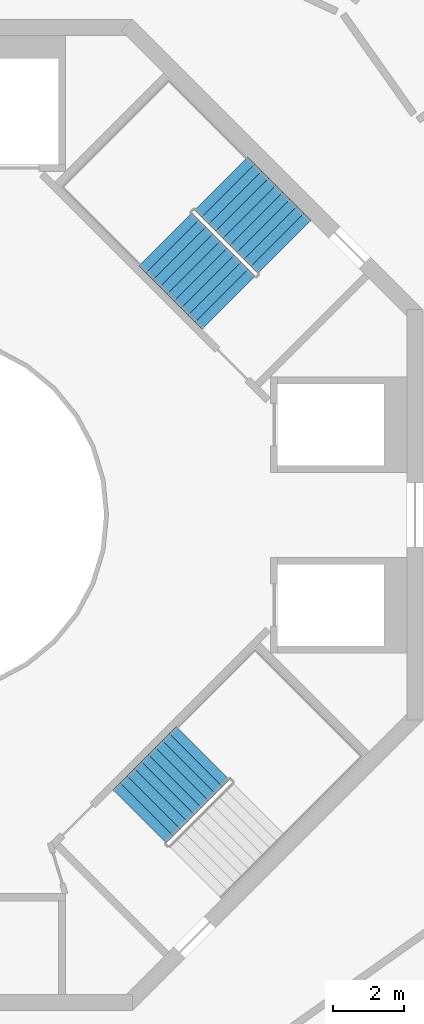
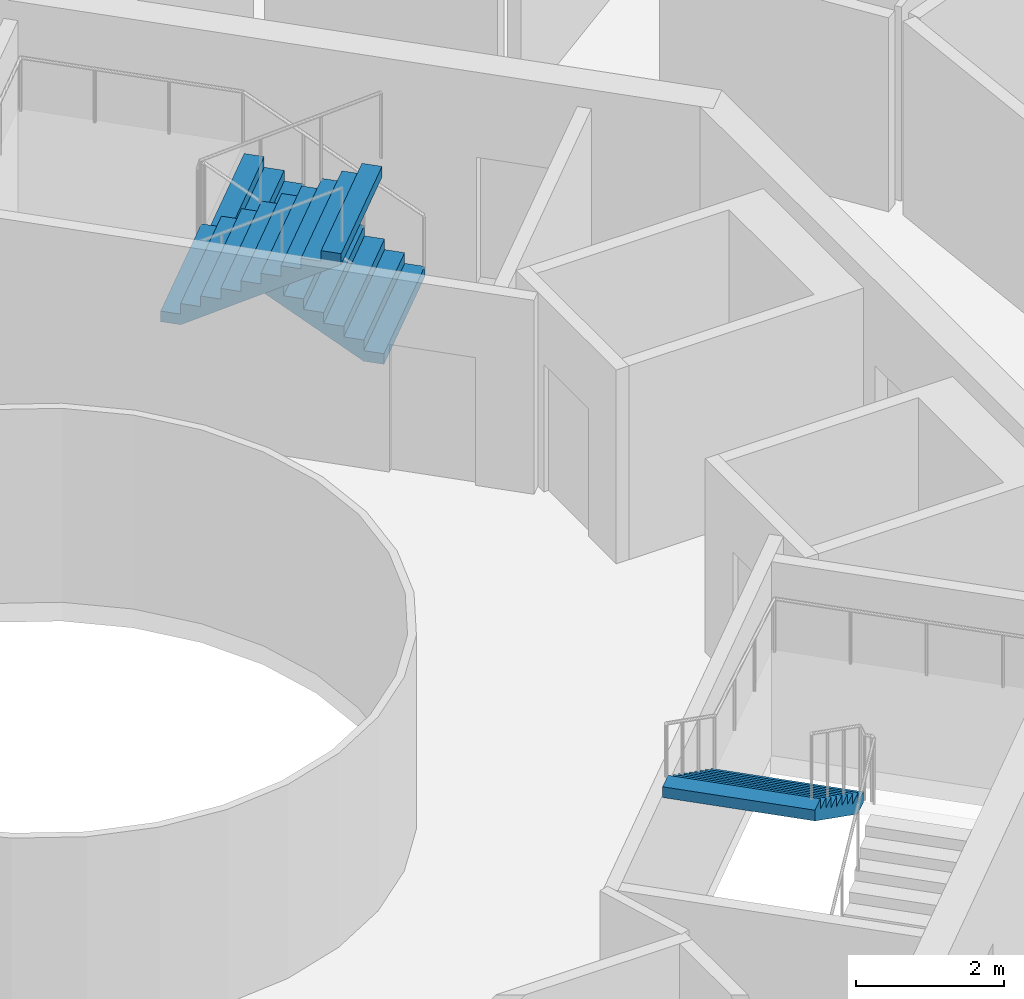
# One storey, part 24 of 25: 3 stair flights, 2 elements without a shape of their own.
"""IFC4 building model written with IfcOpenShell, lengths in metres."""

from ifc_helpers import new_model, si_unit, direction, frame, origin, place, context, subcontext, project, spatial, triangles, material, type_object, element, aggregate, save


model = new_model("IFC4")

# Units and contexts
model_context = context("Model", 3, precision=1e-05, world=origin(), true_north=direction((0.0, 1.0)))
body_context = subcontext(model_context, "Body", "Model", "MODEL_VIEW")
ifc_project = project(units=[si_unit("LENGTHUNIT", "METRE"), si_unit("AREAUNIT", "SQUARE_METRE"), si_unit("VOLUMEUNIT", "CUBIC_METRE"), si_unit("PLANEANGLEUNIT", "RADIAN"), si_unit("MASSUNIT", "GRAM", prefix="KILO")], contexts=[model_context])

# Site, building, storey
site_placement = place(None, origin())
site = spatial("IfcSite", under=ifc_project, at=site_placement, CompositionType="ELEMENT")
building_placement = place(site_placement, origin())
building = spatial("IfcBuilding", under=site, at=building_placement, Name="Verdalira Terraces Hotel", CompositionType="ELEMENT")
storey_placement = place(building_placement, frame((0.0, 0.0, 299.5)))
storey = spatial("IfcBuildingStorey", under=building, at=storey_placement, Name="L74", CompositionType="ELEMENT", Elevation=299.5)

# Stair, stair flights
ifc_material_1 = material(Name="Concrete C40", Category="concrete")
stair_type = type_object("IfcStairType", Name="Core stair 20 risers 2125 mm wide", PredefinedType="HALF_TURN_STAIR", material=ifc_material_1)
stair_1_placement = place(storey_placement, origin())
stair_1 = element("IfcStair", 1, at=stair_1_placement, inside=storey, type_object=stair_type, Name="L74 Exit stair ST1", PredefinedType="HALF_TURN_STAIR")
ifc_material_2 = material(Name="Concrete C40", Category="concrete")
stair_flight_type = type_object("IfcStairFlightType", Name="Core stair flight 20 risers 2125 mm wide", PredefinedType="STRAIGHT", material=ifc_material_2)
stair_flight_1_placement = place(storey_placement, frame((10.085205, 7.574951, 0.0), z_axis=(0.0, 0.0, 1.0), x_axis=(-0.707106781, 0.707106781, 0.0)))
stair_flight_1 = element("IfcStairFlight", 2, at=stair_flight_1_placement, type_object=stair_flight_type, Name="ST1 flight 1", NumberOfRisers=10, NumberOfTreads=9, PredefinedType="STRAIGHT", RiserHeight=0.175, TreadLength=0.28, context=body_context, shape_type="Tessellation", body=[
    triangles([(0.0, 1.0625, 0.0), (0.282715, 1.0625, 0.0), (2.52002, 1.0625, 1.398193), (0.0, -1.0625, 0.0), (0.282715, -1.0625, 0.0), (2.52002, -1.0625, 1.398193), (2.52002, 1.0625, 1.574951), (2.23999, 1.0625, 1.574951), (2.52002, -1.0625, 1.574951), (2.23999, -1.0625, 1.574951), (2.23999, 1.0625, 1.399902), (2.23999, -1.0625, 1.399902), (1.959961, 1.0625, 1.399902), (1.959961, -1.0625, 1.399902), (1.959961, 1.0625, 1.225098), (1.959961, -1.0625, 1.225098), (1.679932, 1.0625, 1.225098), (1.679932, 1.0625, 1.050049), (1.679932, -1.0625, 1.225098), (1.679932, -1.0625, 1.050049), (1.399902, 1.0625, 1.050049), (1.399902, 1.0625, 0.875), (1.399902, -1.0625, 1.050049), (1.399902, -1.0625, 0.875), (1.120117, 1.0625, 0.875), (1.120117, 1.0625, 0.699951), (1.120117, -1.0625, 0.875), (1.120117, -1.0625, 0.699951), (0.840088, 1.0625, 0.699951), (0.840088, 1.0625, 0.524902), (0.840088, -1.0625, 0.699951), (0.840088, -1.0625, 0.524902), (0.560059, 1.0625, 0.524902), (0.560059, 1.0625, 0.350098), (0.560059, -1.0625, 0.524902), (0.560059, -1.0625, 0.350098), (0.280029, 1.0625, 0.350098), (0.280029, 1.0625, 0.175049), (0.280029, -1.0625, 0.350098), (0.280029, -1.0625, 0.175049), (0.0, 1.0625, 0.175049), (0.0, -1.0625, 0.175049), (0.0, -0.996094, 0.0), (0.0, -0.996094, 0.175049), (0.0, -0.929688, 0.0), (0.0, -0.929688, 0.175049), (0.0, -0.863281, 0.0), (0.0, -0.863281, 0.175049), (0.0, -0.796875, 0.0), (0.0, -0.796875, 0.175049), (0.0, -0.730469, 0.0), (0.0, -0.730469, 0.175049), (0.0, -0.664062, 0.0), (0.0, -0.664062, 0.175049), (0.0, -0.597656, 0.0), (0.0, -0.597656, 0.175049), (0.0, -0.53125, 0.0), (0.0, -0.53125, 0.175049), (0.0, -0.464844, 0.0), (0.0, -0.464844, 0.175049), (0.0, -0.398438, 0.0), (0.0, -0.398438, 0.175049), (0.0, -0.332031, 0.0), (0.0, -0.332031, 0.175049), (0.0, -0.265625, 0.0), (0.0, -0.265625, 0.175049), (0.0, -0.199219, 0.0), (0.0, -0.199219, 0.175049), (0.0, -0.132812, 0.0), (0.0, -0.132812, 0.175049), (0.0, -0.066406, 0.0), (0.0, -0.066406, 0.175049), (0.0, 0.0, 0.0), (0.0, 0.0, 0.175049), (0.0, 0.066406, 0.0), (0.0, 0.066406, 0.175049), (0.0, 0.132812, 0.0), (0.0, 0.132812, 0.175049), (0.0, 0.199219, 0.0), (0.0, 0.199219, 0.175049), (0.0, 0.265625, 0.0), (0.0, 0.265625, 0.175049), (0.0, 0.332031, 0.0), (0.0, 0.332031, 0.175049), (0.0, 0.398438, 0.0), (0.0, 0.398438, 0.175049), (0.0, 0.464844, 0.0), (0.0, 0.464844, 0.175049), (0.0, 0.53125, 0.0), (0.0, 0.53125, 0.175049), (0.0, 0.597656, 0.0), (0.0, 0.597656, 0.175049), (0.0, 0.664062, 0.0), (0.0, 0.664062, 0.175049), (0.0, 0.730469, 0.0), (0.0, 0.730469, 0.175049), (0.0, 0.796875, 0.0), (0.0, 0.796875, 0.175049), (0.0, 0.863281, 0.0), (0.0, 0.863281, 0.175049), (0.0, 0.929688, 0.0), (0.0, 0.929688, 0.175049), (0.0, 0.996094, 0.0), (0.0, 0.996094, 0.175049), (2.52002, -0.996094, 1.574951), (2.52002, -0.929688, 1.574951), (2.52002, -0.863281, 1.574951), (2.52002, -0.796875, 1.574951), (2.52002, -0.730469, 1.574951), (2.52002, -0.664062, 1.574951), (2.52002, -0.597656, 1.574951), (2.52002, -0.53125, 1.574951), (2.52002, -0.464844, 1.574951), (2.52002, -0.398438, 1.574951), (2.52002, -0.332031, 1.574951), (2.52002, -0.265625, 1.574951), (2.52002, -0.199219, 1.574951), (2.52002, -0.132812, 1.574951), (2.52002, -0.066406, 1.574951), (2.52002, 0.0, 1.574951), (2.52002, 0.066406, 1.574951), (2.52002, 0.132812, 1.574951), (2.52002, 0.199219, 1.574951), (2.52002, 0.265625, 1.574951), (2.52002, 0.332031, 1.574951), (2.52002, 0.398438, 1.574951), (2.52002, 0.464844, 1.574951), (2.52002, 0.53125, 1.574951), (2.52002, 0.597656, 1.574951), (2.52002, 0.664062, 1.574951), (2.52002, 0.730469, 1.574951), (2.52002, 0.796875, 1.574951), (2.52002, 0.863281, 1.574951), (2.52002, 0.929688, 1.574951), (2.52002, 0.996094, 1.574951), (2.52002, -0.996094, 1.398193), (2.52002, -0.929688, 1.398193), (2.52002, -0.863281, 1.398193), (2.52002, -0.796875, 1.398193), (2.52002, -0.730469, 1.398193), (2.52002, -0.664062, 1.398193), (2.52002, -0.597656, 1.398193), (2.52002, -0.53125, 1.398193), (2.52002, -0.464844, 1.398193), (2.52002, -0.398438, 1.398193), (2.52002, -0.332031, 1.398193), (2.52002, -0.265625, 1.398193), (2.52002, -0.199219, 1.398193), (2.52002, -0.132812, 1.398193), (2.52002, -0.066406, 1.398193), (2.52002, 0.0, 1.398193), (2.52002, 0.066406, 1.398193), (2.52002, 0.132812, 1.398193), (2.52002, 0.199219, 1.398193), (2.52002, 0.265625, 1.398193), (2.52002, 0.332031, 1.398193), (2.52002, 0.398438, 1.398193), (2.52002, 0.464844, 1.398193), (2.52002, 0.53125, 1.398193), (2.52002, 0.597656, 1.398193), (2.52002, 0.664062, 1.398193), (2.52002, 0.730469, 1.398193), (2.52002, 0.796875, 1.398193), (2.52002, 0.863281, 1.398193), (2.52002, 0.929688, 1.398193), (2.52002, 0.996094, 1.398193)], [[1, 3, 2], [4, 5, 6], [3, 8, 7], [6, 9, 10], [3, 11, 8], [6, 10, 12], [3, 13, 11], [6, 12, 14], [3, 15, 13], [6, 14, 16], [15, 18, 17], [16, 19, 20], [3, 18, 15], [6, 16, 20], [18, 22, 21], [20, 23, 24], [3, 22, 18], [6, 20, 24], [22, 26, 25], [24, 27, 28], [3, 26, 22], [6, 24, 28], [26, 30, 29], [28, 31, 32], [3, 30, 26], [6, 28, 32], [1, 30, 3], [4, 6, 32], [30, 34, 33], [32, 35, 36], [34, 38, 37], [36, 39, 40], [30, 38, 34], [32, 36, 40], [1, 38, 30], [4, 32, 40], [38, 1, 41], [40, 42, 4], [4, 44, 43], [4, 42, 44], [43, 46, 45], [43, 44, 46], [45, 48, 47], [45, 46, 48], [47, 50, 49], [47, 48, 50], [49, 52, 51], [49, 50, 52], [51, 54, 53], [51, 52, 54], [53, 56, 55], [53, 54, 56], [55, 58, 57], [55, 56, 58], [57, 60, 59], [57, 58, 60], [59, 62, 61], [59, 60, 62], [61, 64, 63], [61, 62, 64], [63, 66, 65], [63, 64, 66], [65, 68, 67], [65, 66, 68], [67, 70, 69], [67, 68, 70], [69, 72, 71], [69, 70, 72], [71, 74, 73], [71, 72, 74], [73, 76, 75], [73, 74, 76], [75, 78, 77], [75, 76, 78], [77, 80, 79], [77, 78, 80], [79, 82, 81], [79, 80, 82], [81, 84, 83], [81, 82, 84], [83, 86, 85], [83, 84, 86], [85, 88, 87], [85, 86, 88], [87, 90, 89], [87, 88, 90], [89, 92, 91], [89, 90, 92], [91, 94, 93], [91, 92, 94], [93, 96, 95], [93, 94, 96], [95, 98, 97], [95, 96, 98], [97, 100, 99], [97, 98, 100], [99, 102, 101], [99, 100, 102], [101, 104, 103], [101, 102, 104], [103, 41, 1], [103, 104, 41], [42, 40, 44], [44, 40, 46], [46, 40, 48], [48, 40, 50], [50, 40, 52], [52, 40, 54], [54, 40, 56], [56, 40, 58], [58, 40, 60], [60, 40, 62], [62, 40, 64], [64, 40, 66], [66, 40, 68], [68, 40, 70], [70, 40, 72], [72, 40, 74], [74, 40, 76], [76, 40, 78], [78, 40, 80], [80, 40, 82], [82, 40, 84], [84, 40, 86], [86, 40, 88], [88, 40, 90], [90, 40, 92], [92, 40, 94], [94, 40, 96], [96, 40, 98], [98, 40, 100], [100, 40, 102], [102, 40, 104], [104, 40, 41], [41, 40, 38], [40, 37, 38], [40, 39, 37], [39, 34, 37], [39, 36, 34], [36, 33, 34], [36, 35, 33], [35, 30, 33], [35, 32, 30], [32, 29, 30], [32, 31, 29], [31, 26, 29], [31, 28, 26], [28, 25, 26], [28, 27, 25], [27, 22, 25], [27, 24, 22], [24, 21, 22], [24, 23, 21], [23, 18, 21], [23, 20, 18], [20, 17, 18], [20, 19, 17], [19, 15, 17], [19, 16, 15], [16, 13, 15], [16, 14, 13], [14, 11, 13], [14, 12, 11], [12, 8, 11], [12, 10, 8], [9, 105, 10], [105, 106, 10], [106, 107, 10], [107, 108, 10], [108, 109, 10], [109, 110, 10], [110, 111, 10], [111, 112, 10], [112, 113, 10], [113, 114, 10], [114, 115, 10], [115, 116, 10], [116, 117, 10], [117, 118, 10], [118, 119, 10], [119, 120, 10], [120, 121, 10], [121, 122, 10], [122, 123, 10], [123, 124, 10], [124, 125, 10], [125, 126, 10], [126, 127, 10], [127, 128, 10], [128, 129, 10], [129, 130, 10], [130, 131, 10], [131, 132, 10], [132, 133, 10], [133, 134, 10], [134, 135, 10], [135, 7, 10], [7, 8, 10], [9, 136, 105], [9, 6, 136], [105, 137, 106], [105, 136, 137], [106, 138, 107], [106, 137, 138], [107, 139, 108], [107, 138, 139], [108, 140, 109], [108, 139, 140], [109, 141, 110], [109, 140, 141], [110, 142, 111], [110, 141, 142], [111, 143, 112], [111, 142, 143], [112, 144, 113], [112, 143, 144], [113, 145, 114], [113, 144, 145], [114, 146, 115], [114, 145, 146], [115, 147, 116], [115, 146, 147], [116, 148, 117], [116, 147, 148], [117, 149, 118], [117, 148, 149], [118, 150, 119], [118, 149, 150], [119, 151, 120], [119, 150, 151], [120, 152, 121], [120, 151, 152], [121, 153, 122], [121, 152, 153], [122, 154, 123], [122, 153, 154], [123, 155, 124], [123, 154, 155], [124, 156, 125], [124, 155, 156], [125, 157, 126], [125, 156, 157], [126, 158, 127], [126, 157, 158], [127, 159, 128], [127, 158, 159], [128, 160, 129], [128, 159, 160], [129, 161, 130], [129, 160, 161], [130, 162, 131], [130, 161, 162], [131, 163, 132], [131, 162, 163], [132, 164, 133], [132, 163, 164], [133, 165, 134], [133, 164, 165], [134, 166, 135], [134, 165, 166], [135, 3, 7], [135, 166, 3], [6, 5, 136], [136, 5, 137], [137, 5, 138], [138, 5, 139], [139, 5, 140], [140, 5, 141], [141, 5, 142], [142, 5, 143], [143, 5, 144], [144, 5, 145], [145, 5, 146], [146, 5, 147], [147, 5, 148], [148, 5, 149], [149, 5, 150], [150, 5, 151], [151, 5, 152], [152, 5, 153], [153, 5, 154], [154, 5, 155], [155, 5, 156], [156, 5, 157], [157, 5, 158], [158, 5, 159], [159, 5, 160], [160, 5, 161], [161, 5, 162], [162, 5, 163], [163, 5, 164], [164, 5, 165], [165, 5, 166], [166, 5, 3], [3, 5, 2], [4, 43, 5], [43, 45, 5], [45, 47, 5], [47, 49, 5], [49, 51, 5], [51, 53, 5], [53, 55, 5], [55, 57, 5], [57, 59, 5], [59, 61, 5], [61, 63, 5], [63, 65, 5], [65, 67, 5], [67, 69, 5], [69, 71, 5], [71, 73, 5], [73, 75, 5], [75, 77, 5], [77, 79, 5], [79, 81, 5], [81, 83, 5], [83, 85, 5], [85, 87, 5], [87, 89, 5], [89, 91, 5], [91, 93, 5], [93, 95, 5], [95, 97, 5], [97, 99, 5], [99, 101, 5], [101, 103, 5], [103, 1, 5], [1, 2, 5]], closed=True),
])
stair_flight_2_placement = place(storey_placement, frame((6.72998, 7.783447, 1.75), z_axis=(0.0, 0.0, 1.0), x_axis=(0.707106781, -0.707106781, 0.0)))
stair_flight_2 = element("IfcStairFlight", 3, at=stair_flight_2_placement, type_object=stair_flight_type, Name="ST1 flight 2", NumberOfRisers=10, NumberOfTreads=9, PredefinedType="STRAIGHT", RiserHeight=0.175, TreadLength=0.28, context=body_context, shape_type="Tessellation", body=[
    triangles([(0.0, 1.0625, 0.0), (0.282715, 1.0625, 0.0), (2.52002, 1.0625, 1.398193), (0.0, -1.0625, 0.0), (0.282715, -1.0625, 0.0), (2.52002, -1.0625, 1.398193), (2.52002, 1.0625, 1.574951), (2.23999, 1.0625, 1.574951), (2.52002, -1.0625, 1.574951), (2.23999, -1.0625, 1.574951), (2.23999, 1.0625, 1.399902), (2.23999, -1.0625, 1.399902), (1.959961, 1.0625, 1.399902), (1.959961, -1.0625, 1.399902), (1.959961, 1.0625, 1.225098), (1.959961, -1.0625, 1.225098), (1.679932, 1.0625, 1.225098), (1.679932, 1.0625, 1.050049), (1.679932, -1.0625, 1.225098), (1.679932, -1.0625, 1.050049), (1.399902, 1.0625, 1.050049), (1.399902, 1.0625, 0.875), (1.399902, -1.0625, 1.050049), (1.399902, -1.0625, 0.875), (1.120117, 1.0625, 0.875), (1.120117, 1.0625, 0.699951), (1.120117, -1.0625, 0.875), (1.120117, -1.0625, 0.699951), (0.840088, 1.0625, 0.699951), (0.840088, 1.0625, 0.524902), (0.840088, -1.0625, 0.699951), (0.840088, -1.0625, 0.524902), (0.560059, 1.0625, 0.524902), (0.560059, 1.0625, 0.350098), (0.560059, -1.0625, 0.524902), (0.560059, -1.0625, 0.350098), (0.280029, 1.0625, 0.350098), (0.280029, 1.0625, 0.175049), (0.280029, -1.0625, 0.350098), (0.280029, -1.0625, 0.175049), (0.0, 1.0625, 0.175049), (0.0, -1.0625, 0.175049), (0.0, -0.996094, 0.0), (0.0, -0.996094, 0.175049), (0.0, -0.929688, 0.0), (0.0, -0.929688, 0.175049), (0.0, -0.863281, 0.0), (0.0, -0.863281, 0.175049), (0.0, -0.796875, 0.0), (0.0, -0.796875, 0.175049), (0.0, -0.730469, 0.0), (0.0, -0.730469, 0.175049), (0.0, -0.664062, 0.0), (0.0, -0.664062, 0.175049), (0.0, -0.597656, 0.0), (0.0, -0.597656, 0.175049), (0.0, -0.53125, 0.0), (0.0, -0.53125, 0.175049), (0.0, -0.464844, 0.0), (0.0, -0.464844, 0.175049), (0.0, -0.398438, 0.0), (0.0, -0.398438, 0.175049), (0.0, -0.332031, 0.0), (0.0, -0.332031, 0.175049), (0.0, -0.265625, 0.0), (0.0, -0.265625, 0.175049), (0.0, -0.199219, 0.0), (0.0, -0.199219, 0.175049), (0.0, -0.132812, 0.0), (0.0, -0.132812, 0.175049), (0.0, -0.066406, 0.0), (0.0, -0.066406, 0.175049), (0.0, 0.0, 0.0), (0.0, 0.0, 0.175049), (0.0, 0.066406, 0.0), (0.0, 0.066406, 0.175049), (0.0, 0.132812, 0.0), (0.0, 0.132812, 0.175049), (0.0, 0.199219, 0.0), (0.0, 0.199219, 0.175049), (0.0, 0.265625, 0.0), (0.0, 0.265625, 0.175049), (0.0, 0.332031, 0.0), (0.0, 0.332031, 0.175049), (0.0, 0.398438, 0.0), (0.0, 0.398438, 0.175049), (0.0, 0.464844, 0.0), (0.0, 0.464844, 0.175049), (0.0, 0.53125, 0.0), (0.0, 0.53125, 0.175049), (0.0, 0.597656, 0.0), (0.0, 0.597656, 0.175049), (0.0, 0.664062, 0.0), (0.0, 0.664062, 0.175049), (0.0, 0.730469, 0.0), (0.0, 0.730469, 0.175049), (0.0, 0.796875, 0.0), (0.0, 0.796875, 0.175049), (0.0, 0.863281, 0.0), (0.0, 0.863281, 0.175049), (0.0, 0.929688, 0.0), (0.0, 0.929688, 0.175049), (0.0, 0.996094, 0.0), (0.0, 0.996094, 0.175049), (2.52002, -0.996094, 1.574951), (2.52002, -0.929688, 1.574951), (2.52002, -0.863281, 1.574951), (2.52002, -0.796875, 1.574951), (2.52002, -0.730469, 1.574951), (2.52002, -0.664062, 1.574951), (2.52002, -0.597656, 1.574951), (2.52002, -0.53125, 1.574951), (2.52002, -0.464844, 1.574951), (2.52002, -0.398438, 1.574951), (2.52002, -0.332031, 1.574951), (2.52002, -0.265625, 1.574951), (2.52002, -0.199219, 1.574951), (2.52002, -0.132812, 1.574951), (2.52002, -0.066406, 1.574951), (2.52002, 0.0, 1.574951), (2.52002, 0.066406, 1.574951), (2.52002, 0.132812, 1.574951), (2.52002, 0.199219, 1.574951), (2.52002, 0.265625, 1.574951), (2.52002, 0.332031, 1.574951), (2.52002, 0.398438, 1.574951), (2.52002, 0.464844, 1.574951), (2.52002, 0.53125, 1.574951), (2.52002, 0.597656, 1.574951), (2.52002, 0.664062, 1.574951), (2.52002, 0.730469, 1.574951), (2.52002, 0.796875, 1.574951), (2.52002, 0.863281, 1.574951), (2.52002, 0.929688, 1.574951), (2.52002, 0.996094, 1.574951), (2.52002, -0.996094, 1.398193), (2.52002, -0.929688, 1.398193), (2.52002, -0.863281, 1.398193), (2.52002, -0.796875, 1.398193), (2.52002, -0.730469, 1.398193), (2.52002, -0.664062, 1.398193), (2.52002, -0.597656, 1.398193), (2.52002, -0.53125, 1.398193), (2.52002, -0.464844, 1.398193), (2.52002, -0.398438, 1.398193), (2.52002, -0.332031, 1.398193), (2.52002, -0.265625, 1.398193), (2.52002, -0.199219, 1.398193), (2.52002, -0.132812, 1.398193), (2.52002, -0.066406, 1.398193), (2.52002, 0.0, 1.398193), (2.52002, 0.066406, 1.398193), (2.52002, 0.132812, 1.398193), (2.52002, 0.199219, 1.398193), (2.52002, 0.265625, 1.398193), (2.52002, 0.332031, 1.398193), (2.52002, 0.398438, 1.398193), (2.52002, 0.464844, 1.398193), (2.52002, 0.53125, 1.398193), (2.52002, 0.597656, 1.398193), (2.52002, 0.664062, 1.398193), (2.52002, 0.730469, 1.398193), (2.52002, 0.796875, 1.398193), (2.52002, 0.863281, 1.398193), (2.52002, 0.929688, 1.398193), (2.52002, 0.996094, 1.398193)], [[1, 3, 2], [4, 5, 6], [3, 8, 7], [6, 9, 10], [3, 11, 8], [6, 10, 12], [3, 13, 11], [6, 12, 14], [3, 15, 13], [6, 14, 16], [15, 18, 17], [16, 19, 20], [3, 18, 15], [6, 16, 20], [18, 22, 21], [20, 23, 24], [3, 22, 18], [6, 20, 24], [22, 26, 25], [24, 27, 28], [3, 26, 22], [6, 24, 28], [26, 30, 29], [28, 31, 32], [3, 30, 26], [6, 28, 32], [1, 30, 3], [4, 6, 32], [30, 34, 33], [32, 35, 36], [34, 38, 37], [36, 39, 40], [30, 38, 34], [32, 36, 40], [1, 38, 30], [4, 32, 40], [38, 1, 41], [40, 42, 4], [4, 44, 43], [4, 42, 44], [43, 46, 45], [43, 44, 46], [45, 48, 47], [45, 46, 48], [47, 50, 49], [47, 48, 50], [49, 52, 51], [49, 50, 52], [51, 54, 53], [51, 52, 54], [53, 56, 55], [53, 54, 56], [55, 58, 57], [55, 56, 58], [57, 60, 59], [57, 58, 60], [59, 62, 61], [59, 60, 62], [61, 64, 63], [61, 62, 64], [63, 66, 65], [63, 64, 66], [65, 68, 67], [65, 66, 68], [67, 70, 69], [67, 68, 70], [69, 72, 71], [69, 70, 72], [71, 74, 73], [71, 72, 74], [73, 76, 75], [73, 74, 76], [75, 78, 77], [75, 76, 78], [77, 80, 79], [77, 78, 80], [79, 82, 81], [79, 80, 82], [81, 84, 83], [81, 82, 84], [83, 86, 85], [83, 84, 86], [85, 88, 87], [85, 86, 88], [87, 90, 89], [87, 88, 90], [89, 92, 91], [89, 90, 92], [91, 94, 93], [91, 92, 94], [93, 96, 95], [93, 94, 96], [95, 98, 97], [95, 96, 98], [97, 100, 99], [97, 98, 100], [99, 102, 101], [99, 100, 102], [101, 104, 103], [101, 102, 104], [103, 41, 1], [103, 104, 41], [42, 40, 44], [44, 40, 46], [46, 40, 48], [48, 40, 50], [50, 40, 52], [52, 40, 54], [54, 40, 56], [56, 40, 58], [58, 40, 60], [60, 40, 62], [62, 40, 64], [64, 40, 66], [66, 40, 68], [68, 40, 70], [70, 40, 72], [72, 40, 74], [74, 40, 76], [76, 40, 78], [78, 40, 80], [80, 40, 82], [82, 40, 84], [84, 40, 86], [86, 40, 88], [88, 40, 90], [90, 40, 92], [92, 40, 94], [94, 40, 96], [96, 40, 98], [98, 40, 100], [100, 40, 102], [102, 40, 104], [104, 40, 41], [41, 40, 38], [40, 37, 38], [40, 39, 37], [39, 34, 37], [39, 36, 34], [36, 33, 34], [36, 35, 33], [35, 30, 33], [35, 32, 30], [32, 29, 30], [32, 31, 29], [31, 26, 29], [31, 28, 26], [28, 25, 26], [28, 27, 25], [27, 22, 25], [27, 24, 22], [24, 21, 22], [24, 23, 21], [23, 18, 21], [23, 20, 18], [20, 17, 18], [20, 19, 17], [19, 15, 17], [19, 16, 15], [16, 13, 15], [16, 14, 13], [14, 11, 13], [14, 12, 11], [12, 8, 11], [12, 10, 8], [9, 105, 10], [105, 106, 10], [106, 107, 10], [107, 108, 10], [108, 109, 10], [109, 110, 10], [110, 111, 10], [111, 112, 10], [112, 113, 10], [113, 114, 10], [114, 115, 10], [115, 116, 10], [116, 117, 10], [117, 118, 10], [118, 119, 10], [119, 120, 10], [120, 121, 10], [121, 122, 10], [122, 123, 10], [123, 124, 10], [124, 125, 10], [125, 126, 10], [126, 127, 10], [127, 128, 10], [128, 129, 10], [129, 130, 10], [130, 131, 10], [131, 132, 10], [132, 133, 10], [133, 134, 10], [134, 135, 10], [135, 7, 10], [7, 8, 10], [9, 136, 105], [9, 6, 136], [105, 137, 106], [105, 136, 137], [106, 138, 107], [106, 137, 138], [107, 139, 108], [107, 138, 139], [108, 140, 109], [108, 139, 140], [109, 141, 110], [109, 140, 141], [110, 142, 111], [110, 141, 142], [111, 143, 112], [111, 142, 143], [112, 144, 113], [112, 143, 144], [113, 145, 114], [113, 144, 145], [114, 146, 115], [114, 145, 146], [115, 147, 116], [115, 146, 147], [116, 148, 117], [116, 147, 148], [117, 149, 118], [117, 148, 149], [118, 150, 119], [118, 149, 150], [119, 151, 120], [119, 150, 151], [120, 152, 121], [120, 151, 152], [121, 153, 122], [121, 152, 153], [122, 154, 123], [122, 153, 154], [123, 155, 124], [123, 154, 155], [124, 156, 125], [124, 155, 156], [125, 157, 126], [125, 156, 157], [126, 158, 127], [126, 157, 158], [127, 159, 128], [127, 158, 159], [128, 160, 129], [128, 159, 160], [129, 161, 130], [129, 160, 161], [130, 162, 131], [130, 161, 162], [131, 163, 132], [131, 162, 163], [132, 164, 133], [132, 163, 164], [133, 165, 134], [133, 164, 165], [134, 166, 135], [134, 165, 166], [135, 3, 7], [135, 166, 3], [6, 5, 136], [136, 5, 137], [137, 5, 138], [138, 5, 139], [139, 5, 140], [140, 5, 141], [141, 5, 142], [142, 5, 143], [143, 5, 144], [144, 5, 145], [145, 5, 146], [146, 5, 147], [147, 5, 148], [148, 5, 149], [149, 5, 150], [150, 5, 151], [151, 5, 152], [152, 5, 153], [153, 5, 154], [154, 5, 155], [155, 5, 156], [156, 5, 157], [157, 5, 158], [158, 5, 159], [159, 5, 160], [160, 5, 161], [161, 5, 162], [162, 5, 163], [163, 5, 164], [164, 5, 165], [165, 5, 166], [166, 5, 3], [3, 5, 2], [4, 43, 5], [43, 45, 5], [45, 47, 5], [47, 49, 5], [49, 51, 5], [51, 53, 5], [53, 55, 5], [55, 57, 5], [57, 59, 5], [59, 61, 5], [61, 63, 5], [63, 65, 5], [65, 67, 5], [67, 69, 5], [69, 71, 5], [71, 73, 5], [73, 75, 5], [75, 77, 5], [77, 79, 5], [79, 81, 5], [81, 83, 5], [83, 85, 5], [85, 87, 5], [87, 89, 5], [89, 91, 5], [91, 93, 5], [93, 95, 5], [95, 97, 5], [97, 99, 5], [99, 101, 5], [101, 103, 5], [103, 1, 5], [1, 2, 5]], closed=True),
])
aggregate(stair_1, [stair_flight_1, stair_flight_2])

# Stair, stair flight
stair_2_placement = place(storey_placement, origin())
stair_2 = element("IfcStair", 4, at=stair_2_placement, inside=storey, type_object=stair_type, Name="L74 Exit stair ST3", PredefinedType="HALF_TURN_STAIR")
stair_flight_3_placement = place(storey_placement, frame((7.783447, -6.72998, 1.75), z_axis=(0.0, 0.0, 1.0), x_axis=(-0.707106781, -0.707106781, 0.0)))
stair_flight_3 = element("IfcStairFlight", 5, at=stair_flight_3_placement, type_object=stair_flight_type, Name="ST3 flight 2", NumberOfRisers=10, NumberOfTreads=9, PredefinedType="STRAIGHT", RiserHeight=0.175, TreadLength=0.28, context=body_context, shape_type="Tessellation", body=[
    triangles([(0.0, 1.0625, 0.0), (0.282715, 1.0625, 0.0), (2.52002, 1.0625, 1.398193), (0.0, -1.0625, 0.0), (0.282715, -1.0625, 0.0), (2.52002, -1.0625, 1.398193), (2.52002, 1.0625, 1.574951), (2.23999, 1.0625, 1.574951), (2.52002, -1.0625, 1.574951), (2.23999, -1.0625, 1.574951), (2.23999, 1.0625, 1.399902), (2.23999, -1.0625, 1.399902), (1.959961, 1.0625, 1.399902), (1.959961, -1.0625, 1.399902), (1.959961, 1.0625, 1.225098), (1.959961, -1.0625, 1.225098), (1.679932, 1.0625, 1.225098), (1.679932, 1.0625, 1.050049), (1.679932, -1.0625, 1.225098), (1.679932, -1.0625, 1.050049), (1.399902, 1.0625, 1.050049), (1.399902, 1.0625, 0.875), (1.399902, -1.0625, 1.050049), (1.399902, -1.0625, 0.875), (1.120117, 1.0625, 0.875), (1.120117, 1.0625, 0.699951), (1.120117, -1.0625, 0.875), (1.120117, -1.0625, 0.699951), (0.840088, 1.0625, 0.699951), (0.840088, 1.0625, 0.524902), (0.840088, -1.0625, 0.699951), (0.840088, -1.0625, 0.524902), (0.560059, 1.0625, 0.524902), (0.560059, 1.0625, 0.350098), (0.560059, -1.0625, 0.524902), (0.560059, -1.0625, 0.350098), (0.280029, 1.0625, 0.350098), (0.280029, 1.0625, 0.175049), (0.280029, -1.0625, 0.350098), (0.280029, -1.0625, 0.175049), (0.0, 1.0625, 0.175049), (0.0, -1.0625, 0.175049), (0.0, -0.996094, 0.0), (0.0, -0.996094, 0.175049), (0.0, -0.929688, 0.0), (0.0, -0.929688, 0.175049), (0.0, -0.863281, 0.0), (0.0, -0.863281, 0.175049), (0.0, -0.796875, 0.0), (0.0, -0.796875, 0.175049), (0.0, -0.730469, 0.0), (0.0, -0.730469, 0.175049), (0.0, -0.664062, 0.0), (0.0, -0.664062, 0.175049), (0.0, -0.597656, 0.0), (0.0, -0.597656, 0.175049), (0.0, -0.53125, 0.0), (0.0, -0.53125, 0.175049), (0.0, -0.464844, 0.0), (0.0, -0.464844, 0.175049), (0.0, -0.398438, 0.0), (0.0, -0.398438, 0.175049), (0.0, -0.332031, 0.0), (0.0, -0.332031, 0.175049), (0.0, -0.265625, 0.0), (0.0, -0.265625, 0.175049), (0.0, -0.199219, 0.0), (0.0, -0.199219, 0.175049), (0.0, -0.132812, 0.0), (0.0, -0.132812, 0.175049), (0.0, -0.066406, 0.0), (0.0, -0.066406, 0.175049), (0.0, 0.0, 0.0), (0.0, 0.0, 0.175049), (0.0, 0.066406, 0.0), (0.0, 0.066406, 0.175049), (0.0, 0.132812, 0.0), (0.0, 0.132812, 0.175049), (0.0, 0.199219, 0.0), (0.0, 0.199219, 0.175049), (0.0, 0.265625, 0.0), (0.0, 0.265625, 0.175049), (0.0, 0.332031, 0.0), (0.0, 0.332031, 0.175049), (0.0, 0.398438, 0.0), (0.0, 0.398438, 0.175049), (0.0, 0.464844, 0.0), (0.0, 0.464844, 0.175049), (0.0, 0.53125, 0.0), (0.0, 0.53125, 0.175049), (0.0, 0.597656, 0.0), (0.0, 0.597656, 0.175049), (0.0, 0.664062, 0.0), (0.0, 0.664062, 0.175049), (0.0, 0.730469, 0.0), (0.0, 0.730469, 0.175049), (0.0, 0.796875, 0.0), (0.0, 0.796875, 0.175049), (0.0, 0.863281, 0.0), (0.0, 0.863281, 0.175049), (0.0, 0.929688, 0.0), (0.0, 0.929688, 0.175049), (0.0, 0.996094, 0.0), (0.0, 0.996094, 0.175049), (2.52002, -0.996094, 1.574951), (2.52002, -0.929688, 1.574951), (2.52002, -0.863281, 1.574951), (2.52002, -0.796875, 1.574951), (2.52002, -0.730469, 1.574951), (2.52002, -0.664062, 1.574951), (2.52002, -0.597656, 1.574951), (2.52002, -0.53125, 1.574951), (2.52002, -0.464844, 1.574951), (2.52002, -0.398438, 1.574951), (2.52002, -0.332031, 1.574951), (2.52002, -0.265625, 1.574951), (2.52002, -0.199219, 1.574951), (2.52002, -0.132812, 1.574951), (2.52002, -0.066406, 1.574951), (2.52002, 0.0, 1.574951), (2.52002, 0.066406, 1.574951), (2.52002, 0.132812, 1.574951), (2.52002, 0.199219, 1.574951), (2.52002, 0.265625, 1.574951), (2.52002, 0.332031, 1.574951), (2.52002, 0.398438, 1.574951), (2.52002, 0.464844, 1.574951), (2.52002, 0.53125, 1.574951), (2.52002, 0.597656, 1.574951), (2.52002, 0.664062, 1.574951), (2.52002, 0.730469, 1.574951), (2.52002, 0.796875, 1.574951), (2.52002, 0.863281, 1.574951), (2.52002, 0.929688, 1.574951), (2.52002, 0.996094, 1.574951), (2.52002, -0.996094, 1.398193), (2.52002, -0.929688, 1.398193), (2.52002, -0.863281, 1.398193), (2.52002, -0.796875, 1.398193), (2.52002, -0.730469, 1.398193), (2.52002, -0.664062, 1.398193), (2.52002, -0.597656, 1.398193), (2.52002, -0.53125, 1.398193), (2.52002, -0.464844, 1.398193), (2.52002, -0.398438, 1.398193), (2.52002, -0.332031, 1.398193), (2.52002, -0.265625, 1.398193), (2.52002, -0.199219, 1.398193), (2.52002, -0.132812, 1.398193), (2.52002, -0.066406, 1.398193), (2.52002, 0.0, 1.398193), (2.52002, 0.066406, 1.398193), (2.52002, 0.132812, 1.398193), (2.52002, 0.199219, 1.398193), (2.52002, 0.265625, 1.398193), (2.52002, 0.332031, 1.398193), (2.52002, 0.398438, 1.398193), (2.52002, 0.464844, 1.398193), (2.52002, 0.53125, 1.398193), (2.52002, 0.597656, 1.398193), (2.52002, 0.664062, 1.398193), (2.52002, 0.730469, 1.398193), (2.52002, 0.796875, 1.398193), (2.52002, 0.863281, 1.398193), (2.52002, 0.929688, 1.398193), (2.52002, 0.996094, 1.398193)], [[1, 3, 2], [4, 5, 6], [3, 8, 7], [6, 9, 10], [3, 11, 8], [6, 10, 12], [3, 13, 11], [6, 12, 14], [3, 15, 13], [6, 14, 16], [15, 18, 17], [16, 19, 20], [3, 18, 15], [6, 16, 20], [18, 22, 21], [20, 23, 24], [3, 22, 18], [6, 20, 24], [22, 26, 25], [24, 27, 28], [3, 26, 22], [6, 24, 28], [26, 30, 29], [28, 31, 32], [3, 30, 26], [6, 28, 32], [1, 30, 3], [4, 6, 32], [30, 34, 33], [32, 35, 36], [34, 38, 37], [36, 39, 40], [30, 38, 34], [32, 36, 40], [1, 38, 30], [4, 32, 40], [38, 1, 41], [40, 42, 4], [4, 44, 43], [4, 42, 44], [43, 46, 45], [43, 44, 46], [45, 48, 47], [45, 46, 48], [47, 50, 49], [47, 48, 50], [49, 52, 51], [49, 50, 52], [51, 54, 53], [51, 52, 54], [53, 56, 55], [53, 54, 56], [55, 58, 57], [55, 56, 58], [57, 60, 59], [57, 58, 60], [59, 62, 61], [59, 60, 62], [61, 64, 63], [61, 62, 64], [63, 66, 65], [63, 64, 66], [65, 68, 67], [65, 66, 68], [67, 70, 69], [67, 68, 70], [69, 72, 71], [69, 70, 72], [71, 74, 73], [71, 72, 74], [73, 76, 75], [73, 74, 76], [75, 78, 77], [75, 76, 78], [77, 80, 79], [77, 78, 80], [79, 82, 81], [79, 80, 82], [81, 84, 83], [81, 82, 84], [83, 86, 85], [83, 84, 86], [85, 88, 87], [85, 86, 88], [87, 90, 89], [87, 88, 90], [89, 92, 91], [89, 90, 92], [91, 94, 93], [91, 92, 94], [93, 96, 95], [93, 94, 96], [95, 98, 97], [95, 96, 98], [97, 100, 99], [97, 98, 100], [99, 102, 101], [99, 100, 102], [101, 104, 103], [101, 102, 104], [103, 41, 1], [103, 104, 41], [42, 40, 44], [44, 40, 46], [46, 40, 48], [48, 40, 50], [50, 40, 52], [52, 40, 54], [54, 40, 56], [56, 40, 58], [58, 40, 60], [60, 40, 62], [62, 40, 64], [64, 40, 66], [66, 40, 68], [68, 40, 70], [70, 40, 72], [72, 40, 74], [74, 40, 76], [76, 40, 78], [78, 40, 80], [80, 40, 82], [82, 40, 84], [84, 40, 86], [86, 40, 88], [88, 40, 90], [90, 40, 92], [92, 40, 94], [94, 40, 96], [96, 40, 98], [98, 40, 100], [100, 40, 102], [102, 40, 104], [104, 40, 41], [41, 40, 38], [40, 37, 38], [40, 39, 37], [39, 34, 37], [39, 36, 34], [36, 33, 34], [36, 35, 33], [35, 30, 33], [35, 32, 30], [32, 29, 30], [32, 31, 29], [31, 26, 29], [31, 28, 26], [28, 25, 26], [28, 27, 25], [27, 22, 25], [27, 24, 22], [24, 21, 22], [24, 23, 21], [23, 18, 21], [23, 20, 18], [20, 17, 18], [20, 19, 17], [19, 15, 17], [19, 16, 15], [16, 13, 15], [16, 14, 13], [14, 11, 13], [14, 12, 11], [12, 8, 11], [12, 10, 8], [9, 105, 10], [105, 106, 10], [106, 107, 10], [107, 108, 10], [108, 109, 10], [109, 110, 10], [110, 111, 10], [111, 112, 10], [112, 113, 10], [113, 114, 10], [114, 115, 10], [115, 116, 10], [116, 117, 10], [117, 118, 10], [118, 119, 10], [119, 120, 10], [120, 121, 10], [121, 122, 10], [122, 123, 10], [123, 124, 10], [124, 125, 10], [125, 126, 10], [126, 127, 10], [127, 128, 10], [128, 129, 10], [129, 130, 10], [130, 131, 10], [131, 132, 10], [132, 133, 10], [133, 134, 10], [134, 135, 10], [135, 7, 10], [7, 8, 10], [9, 136, 105], [9, 6, 136], [105, 137, 106], [105, 136, 137], [106, 138, 107], [106, 137, 138], [107, 139, 108], [107, 138, 139], [108, 140, 109], [108, 139, 140], [109, 141, 110], [109, 140, 141], [110, 142, 111], [110, 141, 142], [111, 143, 112], [111, 142, 143], [112, 144, 113], [112, 143, 144], [113, 145, 114], [113, 144, 145], [114, 146, 115], [114, 145, 146], [115, 147, 116], [115, 146, 147], [116, 148, 117], [116, 147, 148], [117, 149, 118], [117, 148, 149], [118, 150, 119], [118, 149, 150], [119, 151, 120], [119, 150, 151], [120, 152, 121], [120, 151, 152], [121, 153, 122], [121, 152, 153], [122, 154, 123], [122, 153, 154], [123, 155, 124], [123, 154, 155], [124, 156, 125], [124, 155, 156], [125, 157, 126], [125, 156, 157], [126, 158, 127], [126, 157, 158], [127, 159, 128], [127, 158, 159], [128, 160, 129], [128, 159, 160], [129, 161, 130], [129, 160, 161], [130, 162, 131], [130, 161, 162], [131, 163, 132], [131, 162, 163], [132, 164, 133], [132, 163, 164], [133, 165, 134], [133, 164, 165], [134, 166, 135], [134, 165, 166], [135, 3, 7], [135, 166, 3], [6, 5, 136], [136, 5, 137], [137, 5, 138], [138, 5, 139], [139, 5, 140], [140, 5, 141], [141, 5, 142], [142, 5, 143], [143, 5, 144], [144, 5, 145], [145, 5, 146], [146, 5, 147], [147, 5, 148], [148, 5, 149], [149, 5, 150], [150, 5, 151], [151, 5, 152], [152, 5, 153], [153, 5, 154], [154, 5, 155], [155, 5, 156], [156, 5, 157], [157, 5, 158], [158, 5, 159], [159, 5, 160], [160, 5, 161], [161, 5, 162], [162, 5, 163], [163, 5, 164], [164, 5, 165], [165, 5, 166], [166, 5, 3], [3, 5, 2], [4, 43, 5], [43, 45, 5], [45, 47, 5], [47, 49, 5], [49, 51, 5], [51, 53, 5], [53, 55, 5], [55, 57, 5], [57, 59, 5], [59, 61, 5], [61, 63, 5], [63, 65, 5], [65, 67, 5], [67, 69, 5], [69, 71, 5], [71, 73, 5], [73, 75, 5], [75, 77, 5], [77, 79, 5], [79, 81, 5], [81, 83, 5], [83, 85, 5], [85, 87, 5], [87, 89, 5], [89, 91, 5], [91, 93, 5], [93, 95, 5], [95, 97, 5], [97, 99, 5], [99, 101, 5], [101, 103, 5], [103, 1, 5], [1, 2, 5]], closed=True),
])
aggregate(stair_2, [stair_flight_3])

save(model, "model.ifc")
